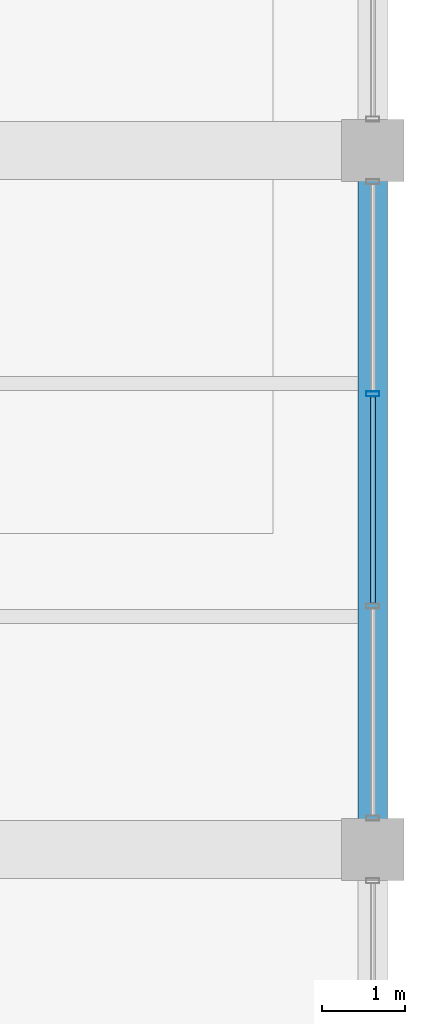
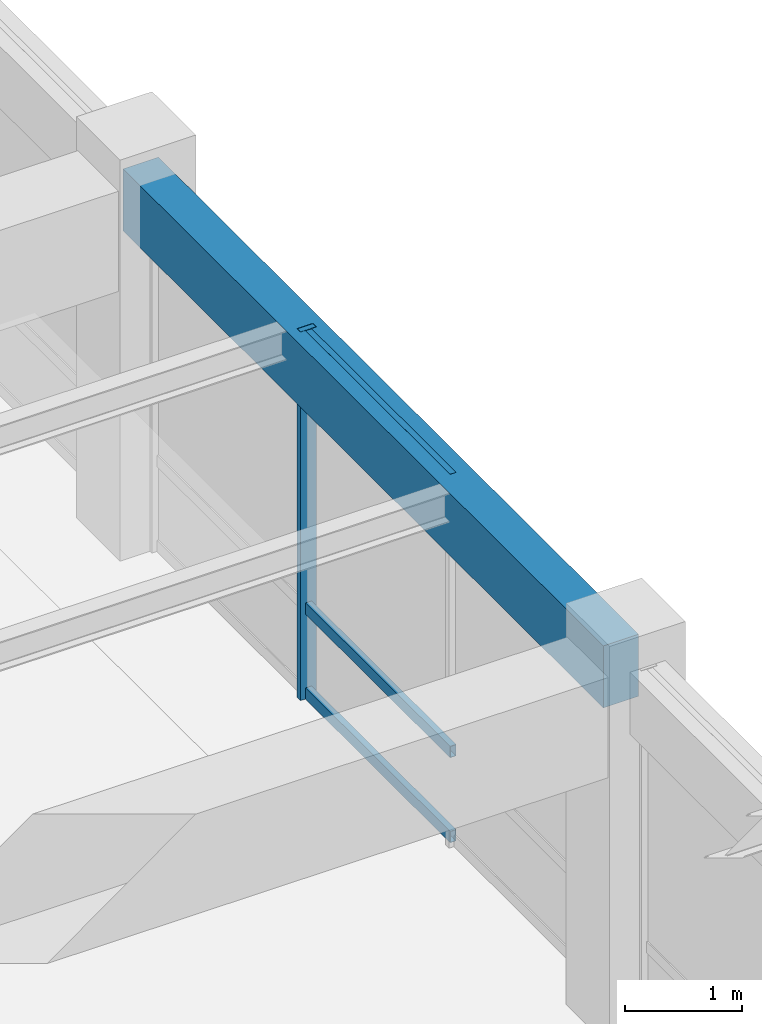
# One storey, part 102 of 152: 4 members, 1 beam, 1 element without a shape of its own.
"""IFC4 building model written with IfcOpenShell, lengths in metres."""

from ifc_helpers import new_model, si_unit, direction, frame, origin, origin_2d, place, context, subcontext, project, spatial, rectangle, hollow_rectangle, extrude, material, material_profile, profile_set, type_object, element, aggregate, save


model = new_model("IFC4")

# Units and contexts
model_context = context("Model", 3, precision=1e-05, world=origin(), true_north=direction((0.0, 1.0)))
body_context = subcontext(model_context, "Body", "Model", "MODEL_VIEW")
ifc_project = project(units=[si_unit("LENGTHUNIT", "METRE"), si_unit("AREAUNIT", "SQUARE_METRE"), si_unit("VOLUMEUNIT", "CUBIC_METRE"), si_unit("PLANEANGLEUNIT", "RADIAN"), si_unit("MASSUNIT", "GRAM", prefix="KILO"), si_unit("THERMODYNAMICTEMPERATUREUNIT", "KELVIN"), si_unit("POWERUNIT", "WATT")], contexts=[model_context])

# Site, building, storey
site_placement = place(None, origin())
site = spatial("IfcSite", under=ifc_project, at=site_placement, CompositionType="ELEMENT")
building_placement = place(site_placement, origin())
building = spatial("IfcBuilding", under=site, at=building_placement, Name="Darbajah Civic Hall", CompositionType="ELEMENT")
storey_placement = place(building_placement, frame((0.0, 0.0, 5.39990234375)))
storey = spatial("IfcBuildingStorey", under=building, at=storey_placement, Name="L01", CompositionType="ELEMENT", Elevation=5.39990234375)

# Curtain wall, members
ifc_material_1 = material(Name="Anodised Bronze Aluminium and Low-E Glazing", Category="aluminium")
curtain_wall_type = type_object("IfcCurtainWallType", Name="Unitised Curtain Wall CW-96 7600x3850", PredefinedType="USERDEFINED", material=ifc_material_1)
curtain_wall_placement = place(storey_placement, origin())
curtain_wall = element("IfcCurtainWall", 1, at=curtain_wall_placement, inside=storey, type_object=curtain_wall_type, Name="L01 unitised curtain wall CW-V4-L01-S1-B2", ObjectType="UNITISED CURTAIN WALL", PredefinedType="USERDEFINED")
ifc_material_2 = material(Name="Anodised Bronze Aluminium", Category="aluminium")
ifc_material_profile_1 = material_profile(ifc_material_2, hollow_rectangle(XDim=0.06005859375, YDim=0.159912109375, WallThickness=0.00341796875, at=origin_2d()), Name="ALU MULLION 60x160")
ifc_profile_set_1 = profile_set([ifc_material_profile_1], Name="Anodised Bronze Aluminium")
member_type_1 = type_object("IfcMemberType", Name="ALU MULLION 60x160", PredefinedType="MULLION", material=ifc_profile_set_1)
member_1_placement = place(storey_placement, frame((178.199951171875, 78.67431640625, 0.0), z_axis=(0.0, 0.0, 1.0), x_axis=(0.0, 1.0, 0.0)))
member_1 = element("IfcMember", 2, at=member_1_placement, type_object=member_type_1, Name="CW-V4-L01-S1-B2 mullion 3", PredefinedType="MULLION", context=body_context, shape_type="SweptSolid", body=[
    extrude(hollow_rectangle(XDim=0.06005859375, YDim=0.159912109375, WallThickness=0.00341796875, at=origin_2d()), origin(), (0.0, 0.0, 1.0), 3.860107421875),
])
ifc_material_profile_2 = material_profile(ifc_material_2, hollow_rectangle(XDim=0.06005859375, YDim=0.1201171875, WallThickness=0.003173828125, at=origin_2d()), Name="ALU TRANSOM 60x120")
ifc_profile_set_2 = profile_set([ifc_material_profile_2], Name="Anodised Bronze Aluminium")
member_type_2 = type_object("IfcMemberType", Name="ALU TRANSOM 60x120", PredefinedType="USERDEFINED", material=ifc_profile_set_2)
member_2_placement = place(storey_placement, frame((178.199951171875, 76.16064453125, 0.06005859375), z_axis=(0.0, 1.0, 0.0), x_axis=(-1.0, 0.0, 0.0)))
member_2 = element("IfcMember", 3, at=member_2_placement, type_object=member_type_2, Name="CW-V4-L01-S1-B2 transom 2.1", ObjectType="TRANSOM", PredefinedType="USERDEFINED", context=body_context, shape_type="SweptSolid", body=[
    extrude(hollow_rectangle(XDim=0.06005859375, YDim=0.1201171875, WallThickness=0.003173828125, at=origin_2d()), origin(), (0.0, 0.0, 1.0), 2.478759765625),
])
member_3_placement = place(storey_placement, frame((178.199951171875, 76.16064453125, 0.9501953125), z_axis=(0.0, 1.0, 0.0), x_axis=(-1.0, 0.0, 0.0)))
member_3 = element("IfcMember", 4, at=member_3_placement, type_object=member_type_2, Name="CW-V4-L01-S1-B2 transom 2.2", ObjectType="TRANSOM", PredefinedType="USERDEFINED", context=body_context, shape_type="SweptSolid", body=[
    extrude(hollow_rectangle(XDim=0.06005859375, YDim=0.1201171875, WallThickness=0.003173828125, at=origin_2d()), origin(), (0.0, 0.0, 1.0), 2.478759765625),
])
member_4_placement = place(storey_placement, frame((178.199951171875, 76.16064453125, 3.800048828125), z_axis=(0.0, 1.0, 0.0), x_axis=(-1.0, 0.0, 0.0)))
member_4 = element("IfcMember", 5, at=member_4_placement, type_object=member_type_2, Name="CW-V4-L01-S1-B2 transom 2.3", ObjectType="TRANSOM", PredefinedType="USERDEFINED", context=body_context, shape_type="SweptSolid", body=[
    extrude(hollow_rectangle(XDim=0.06005859375, YDim=0.1201171875, WallThickness=0.003173828125, at=origin_2d()), origin(), (0.0, 0.0, 1.0), 2.478759765625),
])
aggregate(curtain_wall, [member_1, member_2, member_3, member_4])

# Beam
ifc_material_3 = material(Name="Concrete C45/55", Category="concrete")
ifc_material_profile_3 = material_profile(ifc_material_3, rectangle(XDim=0.35009765625, YDim=0.64990234375, at=origin_2d()), Name="RC SPANDREL 350x650")
ifc_profile_set_3 = profile_set([ifc_material_profile_3], Name="Concrete C45/55")
beam_type = type_object("IfcBeamType", Name="RC SPANDREL 350x650", PredefinedType="SPANDREL", material=ifc_profile_set_3)
beam_placement = place(storey_placement, frame((178.199951171875, 73.280029296875, 3.53515625), z_axis=(0.0, 1.0, 0.0), x_axis=(-1.0, 0.0, 0.0)))
element("IfcBeam", 6, at=beam_placement, inside=storey, type_object=beam_type, Name="L01 beam SP-3565", PredefinedType="SPANDREL", context=body_context, shape_type="SweptSolid", body=[
    extrude(rectangle(XDim=0.35009765625, YDim=0.64990234375, at=origin_2d()), origin(), (0.0, 0.0, 1.0), 8.239990234375),
])

save(model, "model.ifc")
